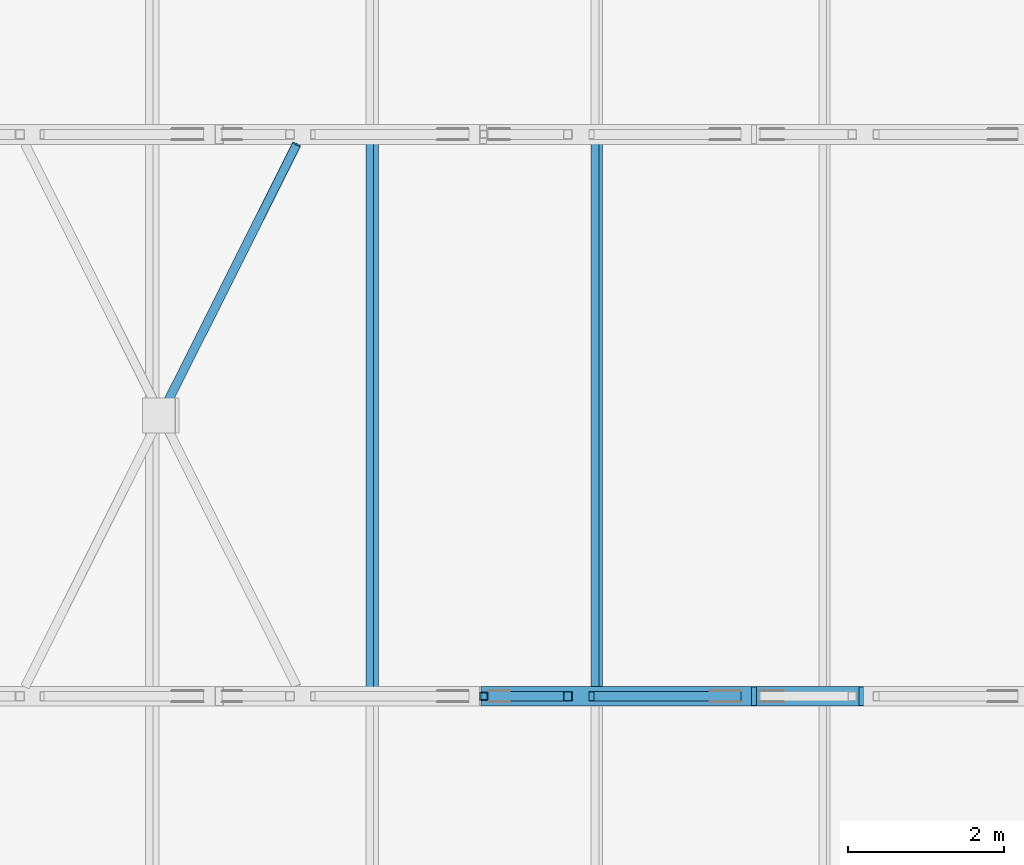
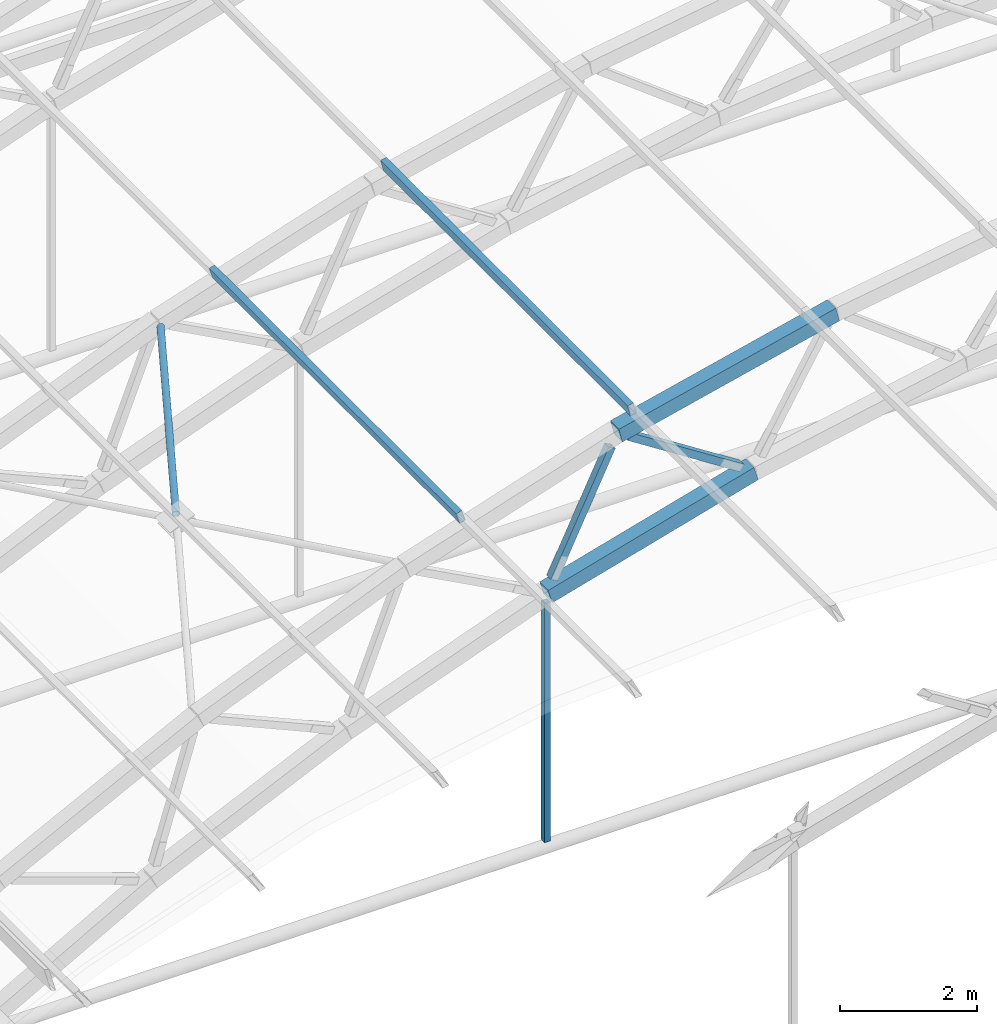
# One storey, part 10 of 127: 8 members.
"""IFC4 building model written with IfcOpenShell, lengths in metres."""

from ifc_helpers import new_model, si_unit, direction, frame, origin, origin_2d, place, context, subcontext, project, spatial, hollow_rectangle, hollow_circle, extrude, material, material_profile, profile_set, type_object, element, save


model = new_model("IFC4")

# Units and contexts
model_context = context("Model", 3, precision=1e-05, world=origin(), true_north=direction((0.0, 1.0)))
body_context = subcontext(model_context, "Body", "Model", "MODEL_VIEW")
ifc_project = project(units=[si_unit("LENGTHUNIT", "METRE"), si_unit("AREAUNIT", "SQUARE_METRE"), si_unit("VOLUMEUNIT", "CUBIC_METRE"), si_unit("PLANEANGLEUNIT", "RADIAN"), si_unit("MASSUNIT", "GRAM", prefix="KILO")], contexts=[model_context])

# Site, building, storey
site_placement = place(None, origin())
site = spatial("IfcSite", under=ifc_project, at=site_placement, CompositionType="ELEMENT")
building_placement = place(site_placement, origin())
building = spatial("IfcBuilding", under=site, at=building_placement, Name="Verrick Yard Athletic Hall", CompositionType="ELEMENT")
storey_placement = place(building_placement, frame((0.0, 0.0, 14.0)))
storey = spatial("IfcBuildingStorey", under=building, at=storey_placement, Name="L03", CompositionType="ELEMENT", Elevation=14.0)

# Members
ifc_material = material(Name="Structural steel HSS Class C 350W (CSA G40.20/G40.21)", Category="steel")
ifc_material_profile_1 = material_profile(ifc_material, hollow_rectangle(XDim=0.25390625, YDim=0.25390625, WallThickness=0.009521484375, at=origin_2d()), Name="HSS254x254x9.5")
ifc_profile_set_1 = profile_set([ifc_material_profile_1], Name="Structural steel HSS Class C 350W (CSA G40.20/G40.21)")
member_type_1 = type_object("IfcMemberType", Name="HB bottom chord HSS254x254x9.5", PredefinedType="CHORD", material=ifc_profile_set_1)
member_1_placement = place(storey_placement, frame((37.812255859375, 86.39990234375, 4.514404296875), z_axis=(0.962572378456, 0.0, 0.271024752066), x_axis=(0.0, 1.0, 0.0)))
element("IfcMember", 1, at=member_1_placement, inside=storey, type_object=member_type_1, Name="Truss TB3 bottom chord 4", PredefinedType="CHORD", context=body_context, shape_type="SweptSolid", body=[
    extrude(hollow_rectangle(XDim=0.25390625, YDim=0.25390625, WallThickness=0.009521484375, at=origin_2d()), origin(), (0.0, 0.0, 1.0), 3.595947265625),
])
ifc_material_profile_2 = material_profile(ifc_material, hollow_rectangle(XDim=0.1015625, YDim=0.203125, WallThickness=0.009521484375, at=origin_2d()), Name="HSS203x102x9.5")
ifc_profile_set_2 = profile_set([ifc_material_profile_2], Name="Structural steel HSS Class C 350W (CSA G40.20/G40.21)")
member_type_2 = type_object("IfcMemberType", Name="HB purlin HSS203x102x9.5", PredefinedType="PURLIN", material=ifc_profile_set_2)
for number, where, z_axis, x_axis, name in (
    (2, (36.380859375, 86.39990234375, 6.3544921875), (0.0, 1.0, 0.0), (-0.951213620533, 0.0, -0.308533058379), "HB-PU-B-3-4"),
    (3, (39.2587890625, 86.39990234375, 7.260009765625), (0.0, 1.0, 0.0), (-0.972458956474, 0.0, -0.23307418985), "HB-PU-B-3-5"),
):
    element("IfcMember", number, at=place(storey_placement, frame(where, z_axis=z_axis, x_axis=x_axis)), inside=storey, type_object=member_type_2, Name=name, PredefinedType="PURLIN", context=body_context, shape_type="SweptSolid", body=[
        extrude(hollow_rectangle(XDim=0.1015625, YDim=0.203125, WallThickness=0.009521484375, at=origin_2d()), origin(), (0.0, 0.0, 1.0), 7.2001953125),
    ])
ifc_material_profile_3 = material_profile(ifc_material, hollow_circle(Radius=0.05712890625, WallThickness=0.00634765625, at=origin_2d()), Name="HSS114x6.4")
ifc_profile_set_3 = profile_set([ifc_material_profile_3], Name="Structural steel HSS Class C 350W (CSA G40.20/G40.21)")
member_type_3 = type_object("IfcMemberType", Name="HB roof brace HSS114x6.4", PredefinedType="BRACE", material=ifc_profile_set_3)
member_2_placement = place(storey_placement, frame((33.719970703125, 90.0927734375, 5.10009765625), z_axis=(0.440175081997, 0.879270525212, 0.182014396913), x_axis=(-0.894207487255, 0.447652733418, 0.0)))
element("IfcMember", 4, at=member_2_placement, inside=storey, type_object=member_type_3, Name="HB-BR-B-3-1b2", PredefinedType="BRACE", context=body_context, shape_type="SweptSolid", body=[
    extrude(hollow_circle(Radius=0.05712890625, WallThickness=0.00634765625, at=origin_2d()), origin(), (0.0, 0.0, 1.0), 3.84423828125),
])
ifc_material_profile_4 = material_profile(ifc_material, hollow_rectangle(XDim=0.25390625, YDim=0.25390625, WallThickness=0.009521484375, at=origin_2d()), Name="HSS254x254x9.5")
ifc_profile_set_4 = profile_set([ifc_material_profile_4], Name="Structural steel HSS Class C 350W (CSA G40.20/G40.21)")
member_type_4 = type_object("IfcMemberType", Name="HB top chord HSS254x254x9.5", PredefinedType="CHORD", material=ifc_profile_set_4)
member_3_placement = place(storey_placement, frame((38.996337890625, 86.39990234375, 6.9619140625), z_axis=(0.972453991168, 0.0, 0.233094905697), x_axis=(0.0, 1.0, 0.0)))
element("IfcMember", 5, at=member_3_placement, inside=storey, type_object=member_type_4, Name="Truss TB3 top chord 5", PredefinedType="CHORD", context=body_context, shape_type="SweptSolid", body=[
    extrude(hollow_rectangle(XDim=0.25390625, YDim=0.25390625, WallThickness=0.009521484375, at=origin_2d()), origin(), (0.0, 0.0, 1.0), 3.752685546875),
])
ifc_material_profile_5 = material_profile(ifc_material, hollow_rectangle(XDim=0.1015625, YDim=0.1015625, WallThickness=0.00634765625, at=origin_2d()), Name="HSS102x102x6.4")
ifc_profile_set_5 = profile_set([ifc_material_profile_5], Name="Structural steel HSS Class C 350W (CSA G40.20/G40.21)")
member_type_5 = type_object("IfcMemberType", Name="HB truss hanger HSS102x102x6.4", PredefinedType="MEMBER", material=ifc_profile_set_5)
member_4_placement = place(storey_placement, frame((37.807373046875, 86.39990234375, 4.35888671875), z_axis=(0.0, 0.0, -1.0), x_axis=(0.0, -1.0, 0.0)))
element("IfcMember", 6, at=member_4_placement, inside=storey, type_object=member_type_5, Name="Truss TB3 hanger 1", PredefinedType="MEMBER", context=body_context, shape_type="SweptSolid", body=[
    extrude(hollow_rectangle(XDim=0.1015625, YDim=0.1015625, WallThickness=0.00634765625, at=origin_2d()), origin(), (0.0, 0.0, 1.0), 4.249267578125),
])
ifc_material_profile_6 = material_profile(ifc_material, hollow_rectangle(XDim=0.126953125, YDim=0.126953125, WallThickness=0.009521484375, at=origin_2d()), Name="HSS127x127x9.5")
ifc_profile_set_6 = profile_set([ifc_material_profile_6], Name="Structural steel HSS Class C 350W (CSA G40.20/G40.21)")
member_type_6 = type_object("IfcMemberType", Name="HB truss web HSS127x127x9.5", PredefinedType="BRACE", material=ifc_profile_set_6)
for number, where, z_axis, x_axis, name in (
    (7, (37.915771484375, 86.39990234375, 4.73681640625), (0.435458074734, 0.0, 0.900209011924), (0.0, 1.0, 0.0), "Truss TB3 web 7"),
    (8, (39.190673828125, 86.39990234375, 6.832763671875), (0.841118094735, 0.0, -0.54085150523), (0.0, 1.0, 0.0), "Truss TB3 web 8"),
):
    element("IfcMember", number, at=place(storey_placement, frame(where, z_axis=z_axis, x_axis=x_axis)), inside=storey, type_object=member_type_6, Name=name, PredefinedType="BRACE", context=body_context, shape_type="SweptSolid", body=[
        extrude(hollow_rectangle(XDim=0.126953125, YDim=0.126953125, WallThickness=0.009521484375, at=origin_2d()), origin(), (0.0, 0.0, 1.0), 2.233642578125),
    ])

save(model, "model.ifc")
